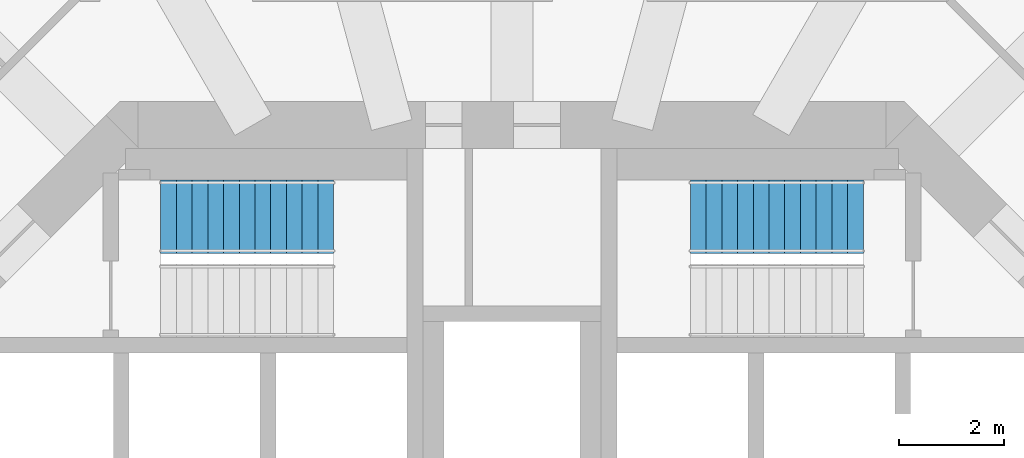
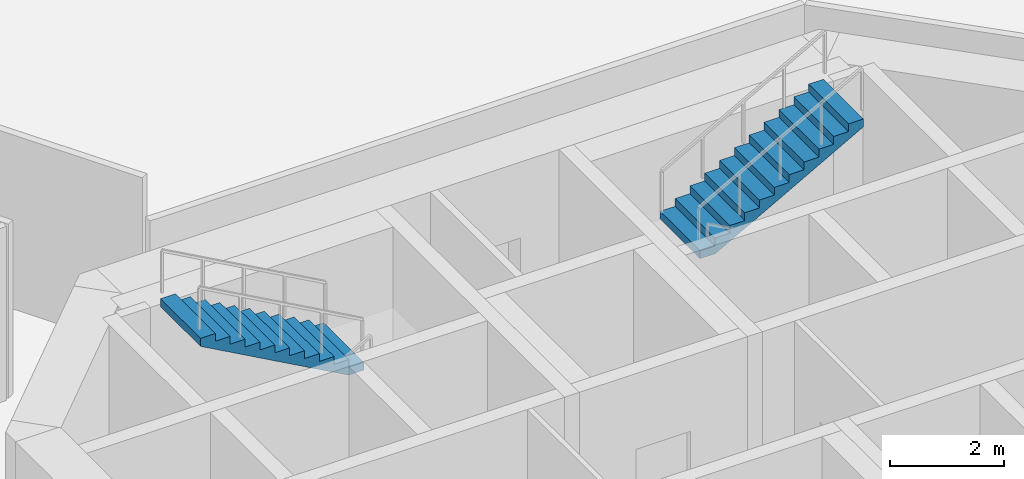
# One storey, part 7 of 9: 2 stair flights, 2 elements without a shape of their own.
"""IFC4 building model written with IfcOpenShell, lengths in metres."""

from ifc_helpers import new_model, si_unit, direction, frame, origin, place, context, subcontext, project, spatial, polyline, outline, extrude, material, type_object, element, aggregate, save


model = new_model("IFC4")

# Units and contexts
model_context = context("Model", 3, precision=1e-05, world=origin(), true_north=direction((0.0, 1.0)))
body_context = subcontext(model_context, "Body", "Model", "MODEL_VIEW")
ifc_project = project(units=[si_unit("LENGTHUNIT", "METRE"), si_unit("AREAUNIT", "SQUARE_METRE"), si_unit("VOLUMEUNIT", "CUBIC_METRE"), si_unit("PLANEANGLEUNIT", "RADIAN"), si_unit("MASSUNIT", "GRAM", prefix="KILO")], contexts=[model_context])

# Site, building, storey
site_placement = place(None, origin())
site = spatial("IfcSite", under=ifc_project, at=site_placement, CompositionType="ELEMENT")
building_placement = place(site_placement, origin())
building = spatial("IfcBuilding", under=site, at=building_placement, Name="Torre Triforio", CompositionType="ELEMENT")
storey_placement = place(building_placement, frame((0.0, 0.0, 59.0)))
storey = spatial("IfcBuildingStorey", under=building, at=storey_placement, Name="L12", CompositionType="ELEMENT", Elevation=59.0)

# Stair, stair flight
ifc_material = material(Name="Concrete C40", Category="concrete")
stair_type = type_object("IfcStairType", Name="STAIR HALF-TURN", PredefinedType="HALF_TURN_STAIR", material=ifc_material)
stair_1_placement = place(storey_placement, origin())
stair_1 = element("IfcStair", 1, at=stair_1_placement, inside=storey, type_object=stair_type, Name="Exit stair 1", PredefinedType="HALF_TURN_STAIR")
stair_flight_type = type_object("IfcStairFlightType", Name="STAIR FLIGHT 1400", PredefinedType="STRAIGHT", material=ifc_material)
stair_flight_1_placement = place(storey_placement, frame((-3.39990234375, 6.800048828125, 2.0), z_axis=(0.0, 0.0, 1.0), x_axis=(-1.0, 0.0, 0.0)))
stair_flight_1 = element("IfcStairFlight", 2, at=stair_flight_1_placement, type_object=stair_flight_type, Name="ST1 flight 2", NumberOfRisers=12, NumberOfTreads=11, PredefinedType="STRAIGHT", RiserHeight=0.166666667, TreadLength=0.3, context=body_context, shape_type="SweptSolid", body=[
    extrude(outline(polyline([(0.0, 0.0), (0.0, 0.166748046875), (0.300048828125, 0.166748046875), (0.300048828125, 0.333251953125), (0.60009765625, 0.333251953125), (0.60009765625, 0.5), (0.89990234375, 0.5), (0.89990234375, 0.666748046875), (1.199951171875, 0.666748046875), (1.199951171875, 0.833251953125), (1.5, 0.833251953125), (1.5, 1.0), (1.800048828125, 1.0), (1.800048828125, 1.166748046875), (2.10009765625, 1.166748046875), (2.10009765625, 1.333251953125), (2.39990234375, 1.333251953125), (2.39990234375, 1.5), (2.699951171875, 1.5), (2.699951171875, 1.666748046875), (3.0, 1.666748046875), (3.0, 1.833251953125), (3.300048828125, 1.833251953125), (3.300048828125, 2.0), (3.300048828125, 1.661865234375), (0.30859375, 0.0), (0.0, 0.0)])), frame((0.0, 0.699951171875, 0.0), z_axis=(0.0, -1.0, 0.0), x_axis=(1.0, 0.0, 0.0)), (0.0, 0.0, 1.0), 1.39990234375),
])
aggregate(stair_1, [stair_flight_1])

stair_2_placement = place(storey_placement, origin())
stair_2 = element("IfcStair", 3, at=stair_2_placement, inside=storey, type_object=stair_type, Name="Exit stair 2", PredefinedType="HALF_TURN_STAIR")
stair_flight_2_placement = place(storey_placement, frame((3.39990234375, 6.800048828125, 2.0), z_axis=(0.0, 0.0, 1.0), x_axis=(1.0, 0.0, 0.0)))
stair_flight_2 = element("IfcStairFlight", 4, at=stair_flight_2_placement, type_object=stair_flight_type, Name="ST2 flight 2", NumberOfRisers=12, NumberOfTreads=11, PredefinedType="STRAIGHT", RiserHeight=0.166666667, TreadLength=0.3, context=body_context, shape_type="SweptSolid", body=[
    extrude(outline(polyline([(0.0, 0.0), (0.0, 0.166748046875), (0.300048828125, 0.166748046875), (0.300048828125, 0.333251953125), (0.60009765625, 0.333251953125), (0.60009765625, 0.5), (0.89990234375, 0.5), (0.89990234375, 0.666748046875), (1.199951171875, 0.666748046875), (1.199951171875, 0.833251953125), (1.5, 0.833251953125), (1.5, 1.0), (1.800048828125, 1.0), (1.800048828125, 1.166748046875), (2.10009765625, 1.166748046875), (2.10009765625, 1.333251953125), (2.39990234375, 1.333251953125), (2.39990234375, 1.5), (2.699951171875, 1.5), (2.699951171875, 1.666748046875), (3.0, 1.666748046875), (3.0, 1.833251953125), (3.300048828125, 1.833251953125), (3.300048828125, 2.0), (3.300048828125, 1.661865234375), (0.30859375, 0.0), (0.0, 0.0)])), frame((0.0, 0.699951171875, 0.0), z_axis=(0.0, -1.0, 0.0), x_axis=(1.0, 0.0, 0.0)), (0.0, 0.0, 1.0), 1.39990234375),
])
aggregate(stair_2, [stair_flight_2])

save(model, "model.ifc")
